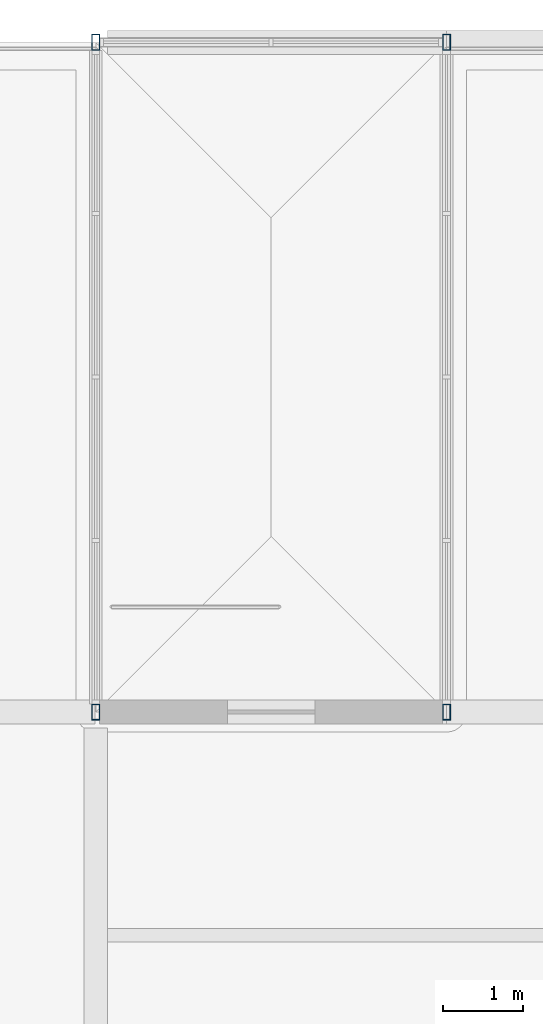
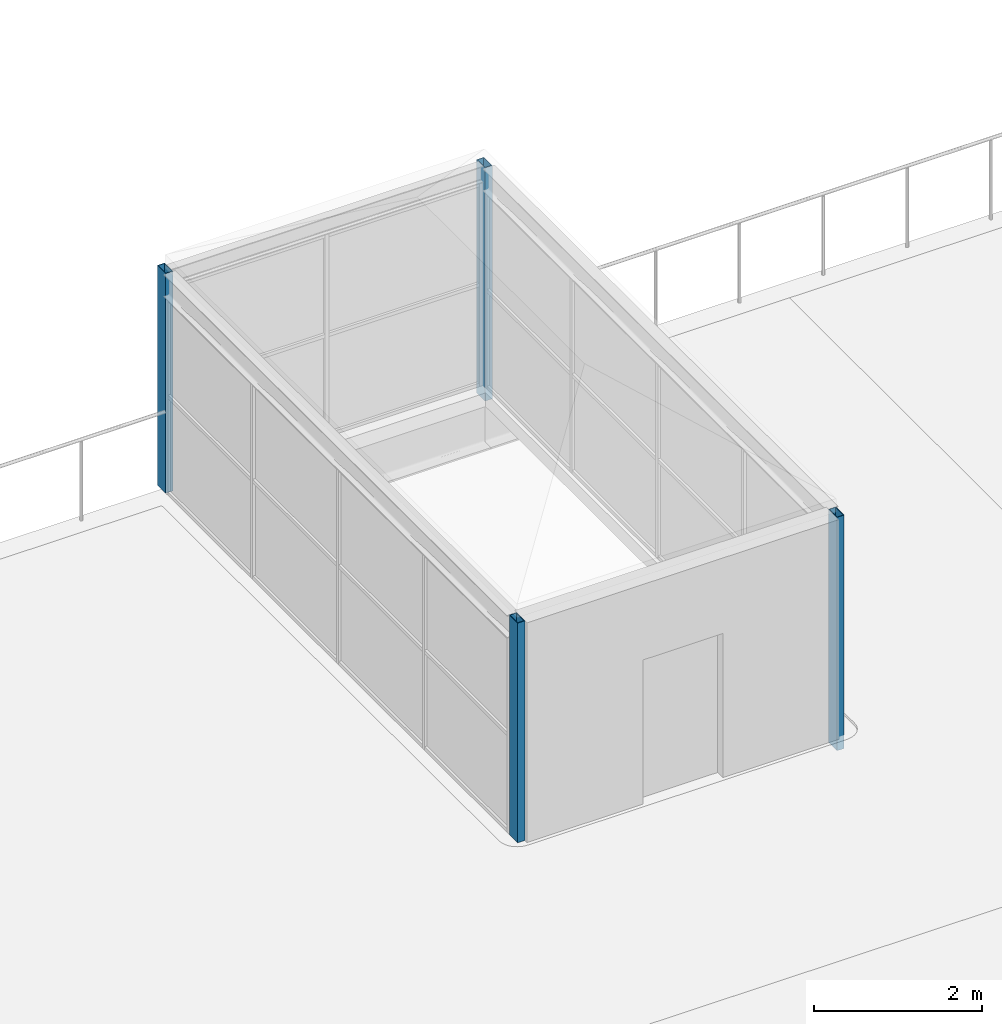
# One storey, part 3 of 58: 4 columns.
"""IFC4 building model written with IfcOpenShell, lengths in metres."""

from ifc_helpers import new_model, si_unit, direction, frame, origin, origin_2d, place, context, subcontext, project, spatial, hollow_rectangle, extrude, material, material_profile, profile_set, type_object, element, save


model = new_model("IFC4")

# Units and contexts
model_context = context("Model", 3, precision=1e-05, world=origin(), true_north=direction((0.0, 1.0)))
body_context = subcontext(model_context, "Body", "Model", "MODEL_VIEW")
ifc_project = project(units=[si_unit("LENGTHUNIT", "METRE"), si_unit("AREAUNIT", "SQUARE_METRE"), si_unit("VOLUMEUNIT", "CUBIC_METRE"), si_unit("PLANEANGLEUNIT", "RADIAN"), si_unit("MASSUNIT", "GRAM", prefix="KILO")], contexts=[model_context])

# Site, building, storey
site_placement = place(None, origin())
site = spatial("IfcSite", under=ifc_project, at=site_placement, CompositionType="ELEMENT")
building_placement = place(site_placement, origin())
building = spatial("IfcBuilding", under=site, at=building_placement, Name="Galleria Vessillo Department Store", CompositionType="ELEMENT")
storey_placement = place(building_placement, frame((0.0, 0.0, 31.199951171875)))
storey = spatial("IfcBuildingStorey", under=building, at=storey_placement, Name="L06", CompositionType="ELEMENT", Elevation=31.199951171875)

# Columns
ifc_material = material(Name="Steel S355 J2", Category="steel")
ifc_material_profile = material_profile(ifc_material, hollow_rectangle(XDim=0.10009765625, YDim=0.199951171875, WallThickness=0.008056640625, at=origin_2d()), Name="RHS 200x100x8")
ifc_profile_set = profile_set([ifc_material_profile], Name="Steel S355 J2")
column_type = type_object("IfcColumnType", Name="Steel post RHS 200x100x8", PredefinedType="COLUMN", material=ifc_profile_set)
column_1_placement = place(storey_placement, frame((8.39990234375, 63.0, 0.0), z_axis=(0.0, 0.0, 1.0), x_axis=(1.0, 0.0, 0.0)))
element("IfcColumn", 1, at=column_1_placement, inside=storey, type_object=column_type, Name="S-PP-ST2-1", PredefinedType="COLUMN", context=body_context, shape_type="SweptSolid", body=[
    extrude(hollow_rectangle(XDim=0.10009765625, YDim=0.199951171875, WallThickness=0.008056640625, at=origin_2d()), origin(), (0.0, 0.0, 1.0), 3.2001953125),
])
column_2_placement = place(storey_placement, frame((12.800048828125, 63.0, -0.199951171875), z_axis=(0.0, 0.0, 1.0), x_axis=(1.0, 0.0, 0.0)))
element("IfcColumn", 2, at=column_2_placement, inside=storey, type_object=column_type, Name="S-PP-ST2-2", PredefinedType="COLUMN", context=body_context, shape_type="SweptSolid", body=[
    extrude(hollow_rectangle(XDim=0.10009765625, YDim=0.199951171875, WallThickness=0.008056640625, at=origin_2d()), origin(), (0.0, 0.0, 1.0), 3.400146484375),
])
column_3_placement = place(storey_placement, frame((8.39990234375, 54.60009765625, 0.0), z_axis=(0.0, 0.0, 1.0), x_axis=(1.0, 0.0, 0.0)))
element("IfcColumn", 3, at=column_3_placement, inside=storey, type_object=column_type, Name="S-PP-ST2-3", PredefinedType="COLUMN", context=body_context, shape_type="SweptSolid", body=[
    extrude(hollow_rectangle(XDim=0.10009765625, YDim=0.199951171875, WallThickness=0.008056640625, at=origin_2d()), origin(), (0.0, 0.0, 1.0), 3.2001953125),
])
column_4_placement = place(storey_placement, frame((12.800048828125, 54.60009765625, -0.199951171875), z_axis=(0.0, 0.0, 1.0), x_axis=(1.0, 0.0, 0.0)))
element("IfcColumn", 4, at=column_4_placement, inside=storey, type_object=column_type, Name="S-PP-ST2-4", PredefinedType="COLUMN", context=body_context, shape_type="SweptSolid", body=[
    extrude(hollow_rectangle(XDim=0.10009765625, YDim=0.199951171875, WallThickness=0.008056640625, at=origin_2d()), origin(), (0.0, 0.0, 1.0), 3.400146484375),
])

save(model, "model.ifc")
